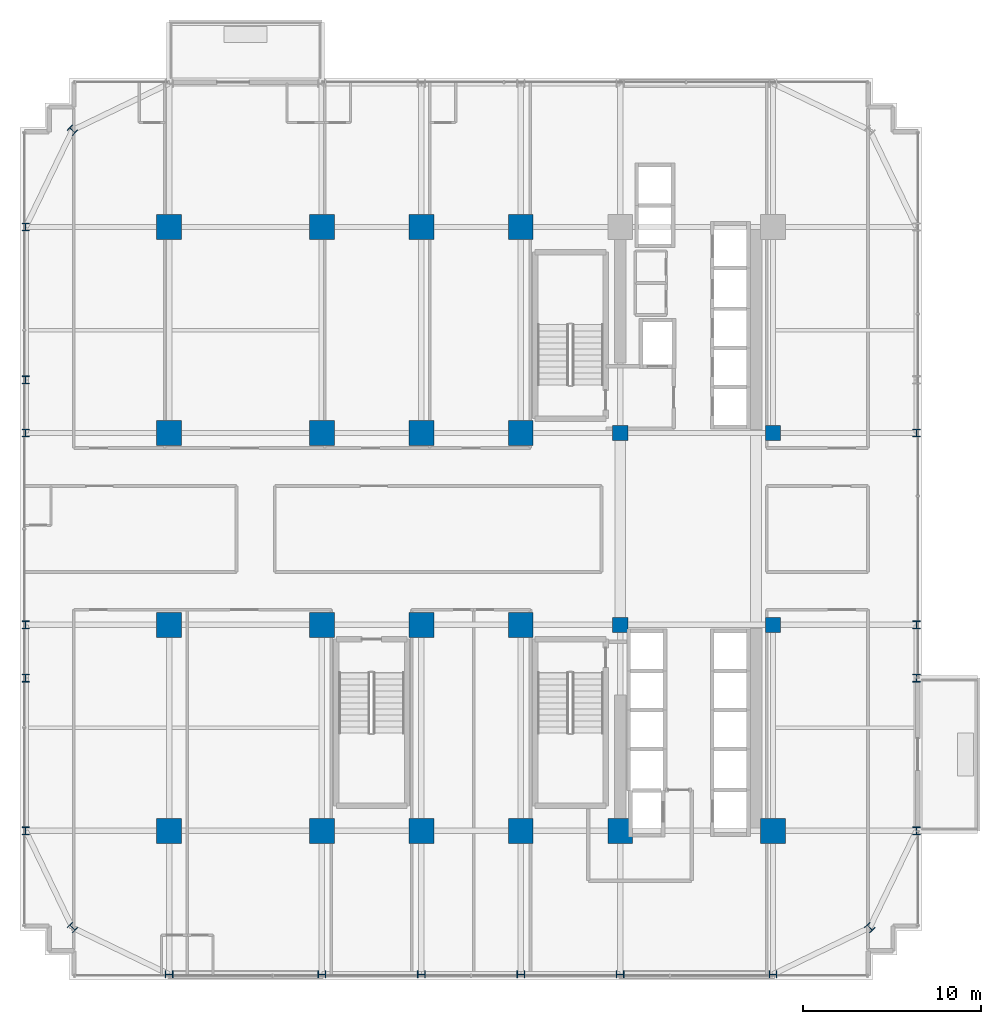
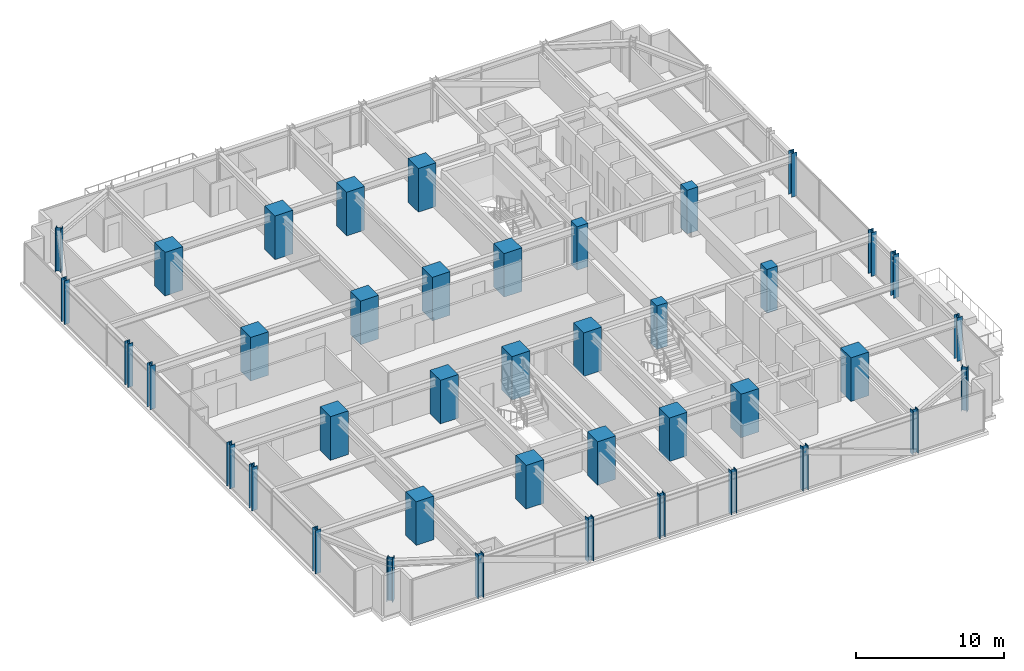
# One storey, part 1 of 35: 41 columns.
"""IFC4 building model written with IfcOpenShell, lengths in metres."""

from ifc_helpers import new_model, si_unit, direction, frame, origin, origin_2d, place, context, subcontext, project, spatial, rectangle, i_section, extrude, source, transform, mapped, material, material_profile, profile_set, type_object, element, save


model = new_model("IFC4")

# Units and contexts
model_context = context("Model", 3, precision=1e-05, world=origin(), true_north=direction((0.0, 1.0)))
body_context = subcontext(model_context, "Body", "Model", "MODEL_VIEW")
ifc_project = project(units=[si_unit("LENGTHUNIT", "METRE"), si_unit("AREAUNIT", "SQUARE_METRE"), si_unit("VOLUMEUNIT", "CUBIC_METRE"), si_unit("PLANEANGLEUNIT", "RADIAN"), si_unit("MASSUNIT", "GRAM", prefix="KILO")], contexts=[model_context])

# Site, building, storey
site_placement = place(None, origin())
site = spatial("IfcSite", under=ifc_project, at=site_placement, CompositionType="ELEMENT")
building_placement = place(site_placement, origin())
building = spatial("IfcBuilding", under=site, at=building_placement, Name="Nahalor Promenade Grand Hotel", CompositionType="ELEMENT")
storey_placement = place(building_placement, frame((0.0, 0.0, 39.699951171875)))
storey = spatial("IfcBuildingStorey", under=building, at=storey_placement, Name="L08", CompositionType="ELEMENT", Elevation=39.699951171875)

# Columns
ifc_material_1 = material(Name="Concrete B-70 (C60/75)", Category="concrete")
ifc_material_profile_1 = material_profile(ifc_material_1, rectangle(XDim=1.4, YDim=1.4, at=origin_2d()), Name="RC 1400x1400")
ifc_profile_set_1 = profile_set([ifc_material_profile_1], Name="Concrete B-70 (C60/75)")
column_type_1 = type_object("IfcColumnType", Name="Col-RC-1400", PredefinedType="COLUMN", material=ifc_profile_set_1)
shared_shape_1 = source(origin(), body_context, "Body", "SweptSolid", [
    extrude(rectangle(XDim=1.4, YDim=1.4, at=origin_2d()), origin(), (0.0, 0.0, 1.0), 3.60498046875),
])
for number, where, z_axis, x_axis, name in (
    (1, (-17.0, -17.0, 0.0), (0.0, 0.0, 1.0), (1.0, 0.0, 0.0), "COL-L08-I00"),
    (2, (-17.0, -5.39990234375, 0.0), (0.0, 0.0, 1.0), (1.0, 0.0, 0.0), "COL-L08-I01"),
    (3, (-17.0, 5.39990234375, 0.0), (0.0, 0.0, 1.0), (1.0, 0.0, 0.0), "COL-L08-I02"),
    (4, (-17.0, 17.0, 0.0), (0.0, 0.0, 1.0), (1.0, 0.0, 0.0), "COL-L08-I03"),
    (5, (-8.39990234375, -17.0, 0.0), (0.0, 0.0, 1.0), (1.0, 0.0, 0.0), "COL-L08-I10"),
    (6, (-8.39990234375, -5.39990234375, 0.0), (0.0, 0.0, 1.0), (1.0, 0.0, 0.0), "COL-L08-I11"),
    (7, (-8.39990234375, 5.39990234375, 0.0), (0.0, 0.0, 1.0), (1.0, 0.0, 0.0), "COL-L08-I12"),
    (8, (-8.39990234375, 17.0, 0.0), (0.0, 0.0, 1.0), (1.0, 0.0, 0.0), "COL-L08-I13"),
    (9, (-2.800048828125, -17.0, 0.0), (0.0, 0.0, 1.0), (1.0, 0.0, 0.0), "COL-L08-I20"),
    (10, (-2.800048828125, -5.39990234375, 0.0), (0.0, 0.0, 1.0), (1.0, 0.0, 0.0), "COL-L08-I21"),
    (11, (-2.800048828125, 5.39990234375, 0.0), (0.0, 0.0, 1.0), (1.0, 0.0, 0.0), "COL-L08-I22"),
    (12, (-2.800048828125, 17.0, 0.0), (0.0, 0.0, 1.0), (1.0, 0.0, 0.0), "COL-L08-I23"),
    (13, (2.800048828125, -17.0, 0.0), (0.0, 0.0, 1.0), (1.0, 0.0, 0.0), "COL-L08-I30"),
    (14, (2.800048828125, -5.39990234375, 0.0), (0.0, 0.0, 1.0), (1.0, 0.0, 0.0), "COL-L08-I31"),
    (15, (2.800048828125, 5.39990234375, 0.0), (0.0, 0.0, 1.0), (1.0, 0.0, 0.0), "COL-L08-I32"),
    (16, (2.800048828125, 17.0, 0.0), (0.0, 0.0, 1.0), (1.0, 0.0, 0.0), "COL-L08-I33"),
    (17, (8.39990234375, -17.0, 0.0), (0.0, 0.0, 1.0), (1.0, 0.0, 0.0), "COL-L08-I40"),
    (18, (17.0, -17.0, 0.0), (0.0, 0.0, 1.0), (1.0, 0.0, 0.0), "COL-L08-I50"),
):
    element("IfcColumn", number, at=place(storey_placement, frame(where, z_axis=z_axis, x_axis=x_axis)), inside=storey, type_object=column_type_1, Name=name, PredefinedType="COLUMN", context=body_context, shape_type="MappedRepresentation", body=[
        mapped(shared_shape_1, transform((0.0, 0.0, 0.0), scale=1.0)),
    ])
ifc_material_profile_2 = material_profile(ifc_material_1, rectangle(XDim=0.85, YDim=0.85, at=origin_2d()), Name="RC 850x850")
ifc_profile_set_2 = profile_set([ifc_material_profile_2], Name="Concrete B-70 (C60/75)")
column_type_2 = type_object("IfcColumnType", Name="Col-Pilaster-850", PredefinedType="PILASTER", material=ifc_profile_set_2)
shared_shape_2 = source(origin(), body_context, "Body", "SweptSolid", [
    extrude(rectangle(XDim=0.85, YDim=0.85, at=origin_2d()), origin(), (0.0, 0.0, 1.0), 3.60498046875),
])
for number, where, z_axis, x_axis, name in (
    (19, (8.39990234375, -5.39990234375, 0.0), (0.0, 0.0, 1.0), (1.0, 0.0, 0.0), "COL-L08-I41"),
    (20, (8.39990234375, 5.39990234375, 0.0), (0.0, 0.0, 1.0), (1.0, 0.0, 0.0), "COL-L08-I42"),
    (21, (17.0, -5.39990234375, 0.0), (0.0, 0.0, 1.0), (1.0, 0.0, 0.0), "COL-L08-I51"),
    (22, (17.0, 5.39990234375, 0.0), (0.0, 0.0, 1.0), (1.0, 0.0, 0.0), "COL-L08-I52"),
):
    element("IfcColumn", number, at=place(storey_placement, frame(where, z_axis=z_axis, x_axis=x_axis)), inside=storey, type_object=column_type_2, Name=name, PredefinedType="PILASTER", context=body_context, shape_type="MappedRepresentation", body=[
        mapped(shared_shape_2, transform((0.0, 0.0, 0.0), scale=1.0)),
    ])
ifc_material_2 = material(Name="Steel S355J2", Category="steel")
ifc_material_profile_3 = material_profile(ifc_material_2, i_section(OverallWidth=0.412, OverallDepth=0.438, WebThickness=0.0226, FlangeThickness=0.0365, at=origin_2d()), Name="HD 400x463")
ifc_profile_set_3 = profile_set([ifc_material_profile_3], Name="Steel S355J2")
column_type_3 = type_object("IfcColumnType", Name="Col-Steel-HD463", PredefinedType="COLUMN", material=ifc_profile_set_3)
shared_shape_3 = source(origin(), body_context, "Body", "SweptSolid", [
    extrude(i_section(OverallWidth=0.412, OverallDepth=0.438, WebThickness=0.0226, FlangeThickness=0.0365, at=origin_2d()), origin(), (0.0, 0.0, 1.0), 3.60498046875),
])
for number, where, z_axis, x_axis, name in (
    (23, (-25.080078125, -17.0, 0.0), (0.0, 0.0, 1.0), (1.0, 0.0, 0.0), "COL-L08-PW-W0"),
    (24, (25.080078125, -17.0, 0.0), (0.0, 0.0, 1.0), (1.0, 0.0, 0.0), "COL-L08-PW-E0"),
    (25, (-25.080078125, -8.39990234375, 0.0), (0.0, 0.0, 1.0), (1.0, 0.0, 0.0), "COL-L08-PW-W1"),
    (26, (25.080078125, -8.39990234375, 0.0), (0.0, 0.0, 1.0), (1.0, 0.0, 0.0), "COL-L08-PW-E1"),
    (27, (-25.080078125, -5.39990234375, 0.0), (0.0, 0.0, 1.0), (1.0, 0.0, 0.0), "COL-L08-PW-W2"),
    (28, (25.080078125, -5.39990234375, 0.0), (0.0, 0.0, 1.0), (1.0, 0.0, 0.0), "COL-L08-PW-E2"),
    (29, (-25.080078125, 5.39990234375, 0.0), (0.0, 0.0, 1.0), (1.0, 0.0, 0.0), "COL-L08-PW-W3"),
    (30, (25.080078125, 5.39990234375, 0.0), (0.0, 0.0, 1.0), (1.0, 0.0, 0.0), "COL-L08-PW-E3"),
    (31, (-25.080078125, 8.39990234375, 0.0), (0.0, 0.0, 1.0), (1.0, 0.0, 0.0), "COL-L08-PW-W4"),
    (32, (-25.080078125, 17.0, 0.0), (0.0, 0.0, 1.0), (1.0, 0.0, 0.0), "COL-L08-PW-W5"),
    (33, (-17.0, -25.080078125, 0.0), (0.0, 0.0, 1.0), (0.0, 1.0, 0.0), "COL-L08-PN-S0"),
    (34, (-8.39990234375, -25.080078125, 0.0), (0.0, 0.0, 1.0), (0.0, 1.0, 0.0), "COL-L08-PN-S1"),
    (35, (-2.800048828125, -25.080078125, 0.0), (0.0, 0.0, 1.0), (0.0, 1.0, 0.0), "COL-L08-PN-S2"),
    (36, (2.800048828125, -25.080078125, 0.0), (0.0, 0.0, 1.0), (0.0, 1.0, 0.0), "COL-L08-PN-S3"),
    (37, (8.39990234375, -25.080078125, 0.0), (0.0, 0.0, 1.0), (0.0, 1.0, 0.0), "COL-L08-PN-S4"),
    (38, (17.0, -25.080078125, 0.0), (0.0, 0.0, 1.0), (0.0, 1.0, 0.0), "COL-L08-PN-S5"),
    (39, (-22.449951171875, -22.449951171875, 0.0), (0.0, 0.0, 1.0), (0.707106781187, 0.707106781187, 0.0), "COL-L08-CRN-SW"),
    (40, (-22.449951171875, 22.449951171875, 0.0), (0.0, 0.0, 1.0), (0.707106781187, 0.707106781187, 0.0), "COL-L08-CRN-NW"),
    (41, (22.449951171875, -22.449951171875, 0.0), (0.0, 0.0, 1.0), (0.707106781187, 0.707106781187, 0.0), "COL-L08-CRN-SE"),
):
    element("IfcColumn", number, at=place(storey_placement, frame(where, z_axis=z_axis, x_axis=x_axis)), inside=storey, type_object=column_type_3, Name=name, PredefinedType="COLUMN", context=body_context, shape_type="MappedRepresentation", body=[
        mapped(shared_shape_3, transform((0.0, 0.0, 0.0), scale=1.0)),
    ])

save(model, "model.ifc")
